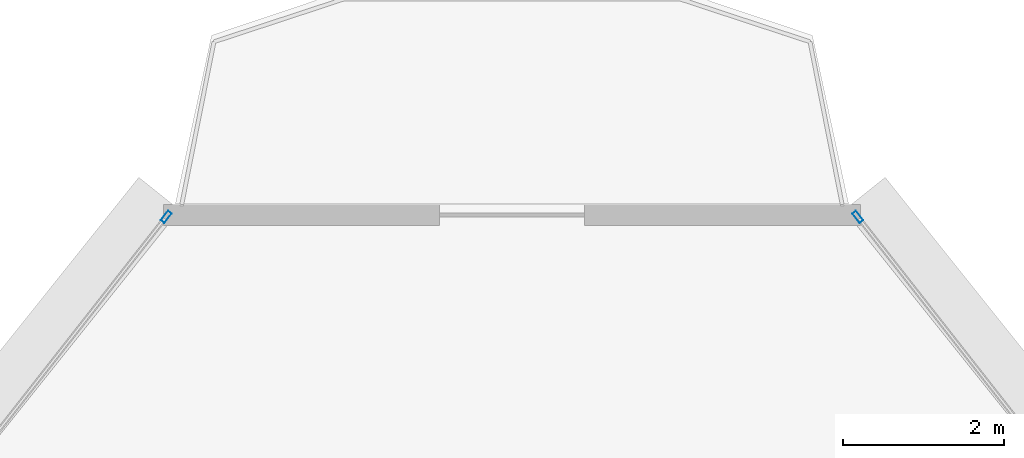
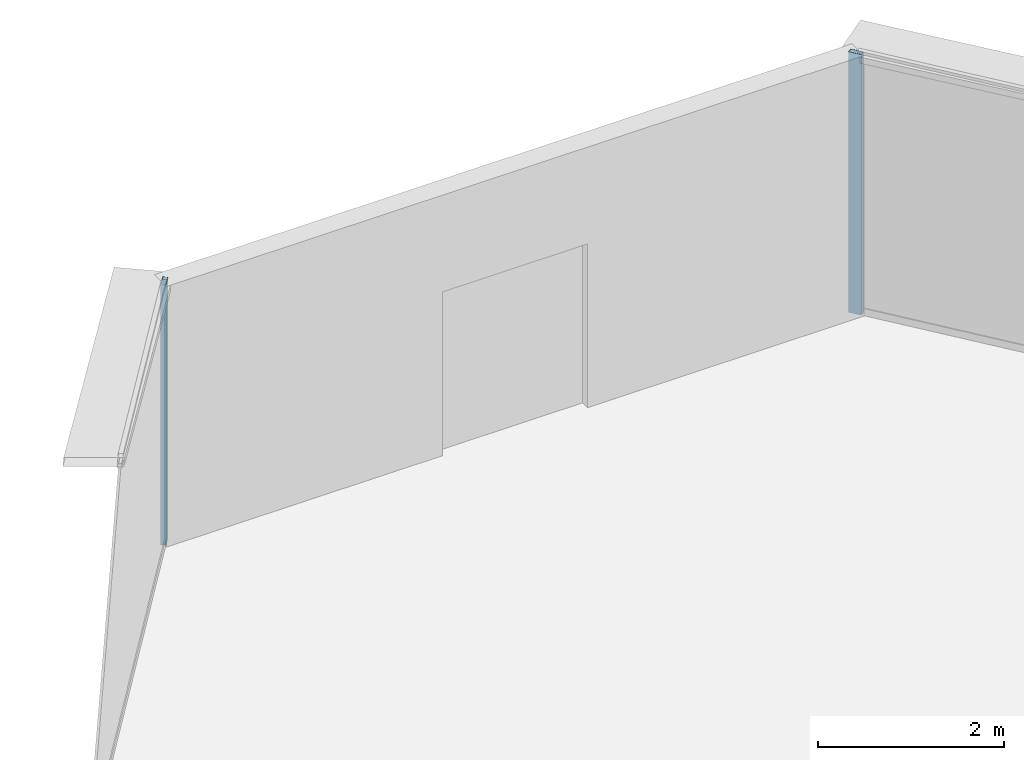
# One storey, part 29 of 39: 2 members, 2 elements without a shape of their own.
"""IFC4 building model written with IfcOpenShell, lengths in metres."""

from ifc_helpers import new_model, si_unit, direction, frame, origin, origin_2d, place, context, subcontext, project, spatial, hollow_rectangle, extrude, source, transform, mapped, material, layer, layer_set, material_profile, profile_set, type_object, element, aggregate, save


model = new_model("IFC4")

# Units and contexts
model_context = context("Model", 3, precision=1e-05, world=origin(), true_north=direction((0.0, 1.0)))
body_context = subcontext(model_context, "Body", "Model", "MODEL_VIEW")
ifc_project = project(units=[si_unit("LENGTHUNIT", "METRE"), si_unit("AREAUNIT", "SQUARE_METRE"), si_unit("VOLUMEUNIT", "CUBIC_METRE"), si_unit("PLANEANGLEUNIT", "RADIAN"), si_unit("MASSUNIT", "GRAM", prefix="KILO"), si_unit("THERMODYNAMICTEMPERATUREUNIT", "KELVIN"), si_unit("POWERUNIT", "WATT")], contexts=[model_context])

# Site, building, storey
site_placement = place(None, origin())
site = spatial("IfcSite", under=ifc_project, at=site_placement, CompositionType="ELEMENT")
building_placement = place(site_placement, origin())
building = spatial("IfcBuilding", under=site, at=building_placement, Name="Yunzhuo Pagoda Commons", CompositionType="ELEMENT")
storey_placement = place(building_placement, frame((0.0, 0.0, 166.6298828125)))
storey = spatial("IfcBuildingStorey", under=building, at=storey_placement, Name="L42", CompositionType="ELEMENT", Elevation=166.6298828125)

# Curtain wall, member
ifc_material = material(Name="Anodized aluminium 6063-T6", Category="aluminium")
ifc_layer = layer(ifc_material, 0.14990234375)
ifc_layer_set = layer_set([ifc_layer], Name="Anodized aluminium 6063-T6")
curtain_wall_type = type_object("IfcCurtainWallType", Name="CW-MID Mid-Zone Ribbon Curtain Wall", PredefinedType="NOTDEFINED", material=ifc_layer_set)
curtain_wall_1_placement = place(storey_placement, origin())
curtain_wall_1 = element("IfcCurtainWall", 1, at=curtain_wall_1_placement, inside=storey, type_object=curtain_wall_type, Name="L42 curtain wall CW-L42-F2B5", PredefinedType="NOTDEFINED")
ifc_material_profile = material_profile(ifc_material, hollow_rectangle(XDim=0.06005859375, YDim=0.14990234375, WallThickness=0.00390625, at=origin_2d()), Name="Anodized aluminium 6063-T6")
ifc_profile_set = profile_set([ifc_material_profile], Name="Anodized aluminium 6063-T6")
member_type = type_object("IfcMemberType", Name="CW-MID-M Mullion RHS 150x60x4", PredefinedType="MULLION", material=ifc_profile_set)
shared_shape = source(origin(), body_context, "Body", "SweptSolid", [
    extrude(hollow_rectangle(XDim=0.06005859375, YDim=0.14990234375, WallThickness=0.00390625, at=origin_2d()), origin(), (0.0, 0.0, 1.0), 3.420166015625),
])
member_1_placement = place(storey_placement, frame((52.29443359375, 83.974365234375, 0.0), z_axis=(0.0, 0.0, 1.0), x_axis=(-0.786855306064, -0.617137527071, 0.0)))
member_1 = element("IfcMember", 2, at=member_1_placement, type_object=member_type, Name="CW mullion 2", PredefinedType="MULLION", context=body_context, shape_type="MappedRepresentation", body=[
    mapped(shared_shape, transform((0.0, 0.0, 0.0), scale=1.0)),
])
aggregate(curtain_wall_1, [member_1])

curtain_wall_2_placement = place(storey_placement, origin())
curtain_wall_2 = element("IfcCurtainWall", 3, at=curtain_wall_2_placement, inside=storey, type_object=curtain_wall_type, Name="L42 curtain wall CW-L42-F3B1", PredefinedType="NOTDEFINED")
member_2_placement = place(storey_placement, frame((43.7060546875, 83.974365234375, 0.0), z_axis=(0.0, 0.0, 1.0), x_axis=(0.786855306064, -0.617137527071, 0.0)))
member_2 = element("IfcMember", 4, at=member_2_placement, type_object=member_type, Name="CW mullion 1", PredefinedType="MULLION", context=body_context, shape_type="MappedRepresentation", body=[
    mapped(shared_shape, transform((0.0, 0.0, 0.0), scale=1.0)),
])
aggregate(curtain_wall_2, [member_2])

save(model, "model.ifc")
